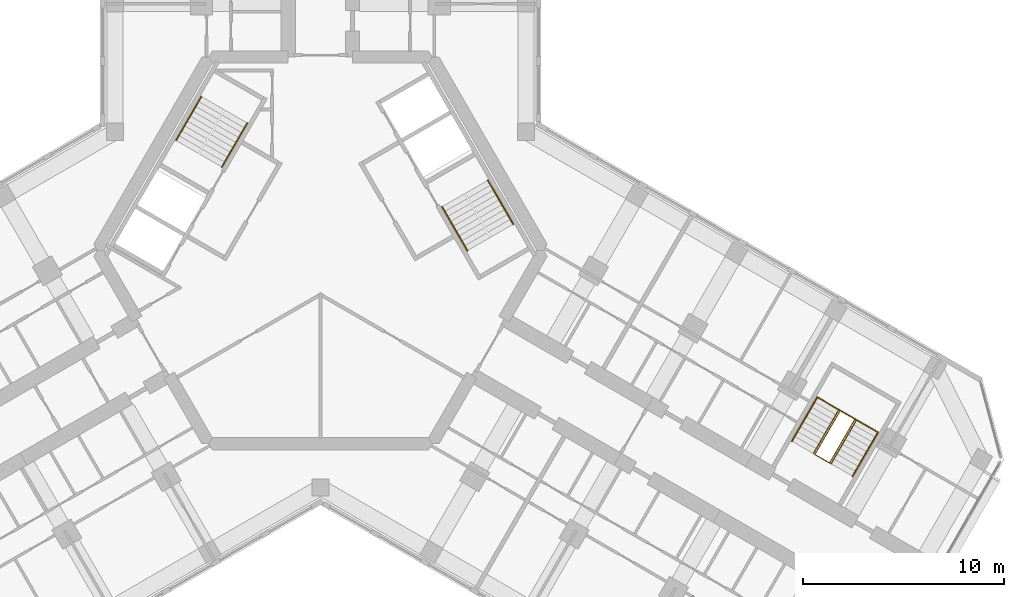
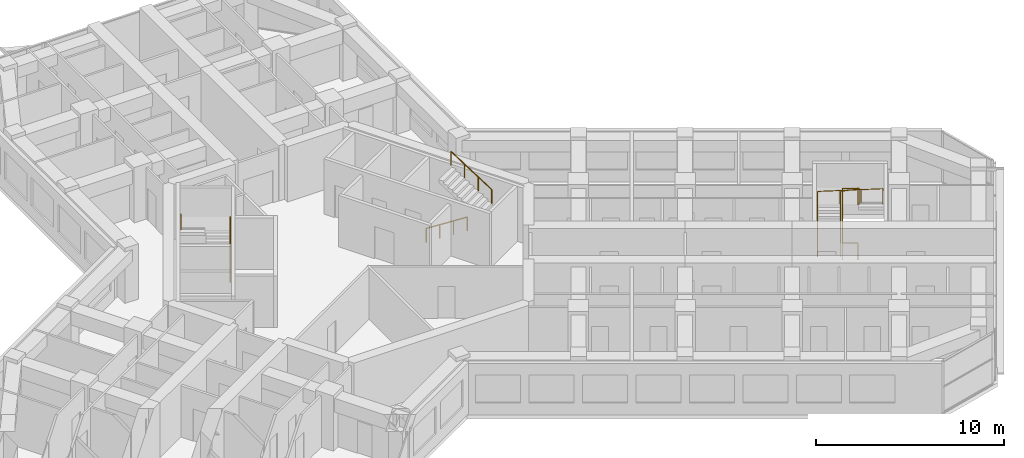
# One storey, part 16 of 16: 7 railings.
"""IFC4 building model written with IfcOpenShell, lengths in metres."""

from ifc_helpers import new_model, si_unit, direction, frame, origin, origin_2d, place, context, subcontext, project, spatial, circle, extrude, material, type_object, element, save


model = new_model("IFC4")

# Units and contexts
model_context = context("Model", 3, precision=1e-05, world=origin(), true_north=direction((0.0, 1.0)))
body_context = subcontext(model_context, "Body", "Model", "MODEL_VIEW")
ifc_project = project(units=[si_unit("LENGTHUNIT", "METRE"), si_unit("AREAUNIT", "SQUARE_METRE"), si_unit("VOLUMEUNIT", "CUBIC_METRE"), si_unit("PLANEANGLEUNIT", "RADIAN"), si_unit("MASSUNIT", "GRAM", prefix="KILO")], contexts=[model_context])

# Site, building, storey
site_placement = place(None, origin())
site = spatial("IfcSite", under=ifc_project, at=site_placement, CompositionType="ELEMENT")
building_placement = place(site_placement, origin())
building = spatial("IfcBuilding", under=site, at=building_placement, Name="Kosmar Iwan School Tower", CompositionType="ELEMENT")
storey_placement = place(building_placement, frame((0.0, 0.0, 246.0)))
storey = spatial("IfcBuildingStorey", under=building, at=storey_placement, Name="L62", CompositionType="ELEMENT", Elevation=246.0)

# Railings
ifc_material_1 = material(Name="Black steel", Category="steel")
railing_type_1 = type_object("IfcRailingType", Name="Stair handrail 900", PredefinedType="HANDRAIL", material=ifc_material_1)
railing_1_placement = place(storey_placement, frame((-4.89453125, 4.142333984375, 0.179931640625)))
element("IfcRailing", 1, at=railing_1_placement, inside=storey, type_object=railing_type_1, Name="Handrail ST2 flight 1", PredefinedType="HANDRAIL", context=body_context, shape_type="SweptSolid", body=[
    extrude(circle(Radius=0.02392578125, at=origin_2d()), frame((0.0, 0.0, 0.8759765625), z_axis=(0.420584145978, 0.728463801763, 0.540785970299), x_axis=(-0.866022637375, 0.500004791531, 0.0)), (0.0, 0.0, 1.0), 2.995849609375),
    extrude(circle(Radius=0.02099609375, at=origin_2d()), origin(), (0.0, 0.0, 1.0), 0.851806640625),
    extrude(circle(Radius=0.02099609375, at=origin_2d()), frame((0.419921875, 0.7275390625, 0.5400390625)), (0.0, 0.0, 1.0), 0.851806640625),
    extrude(circle(Radius=0.02099609375, at=origin_2d()), frame((0.840087890625, 1.454833984375, 1.080078125)), (0.0, 0.0, 1.0), 0.851806640625),
    extrude(circle(Radius=0.02099609375, at=origin_2d()), frame((1.260009765625, 2.182373046875, 1.6201171875)), (0.0, 0.0, 1.0), 0.851806640625),
])
railing_2_placement = place(storey_placement, frame((-5.912353515625, 7.6396484375, 1.97998046875)))
element("IfcRailing", 2, at=railing_2_placement, inside=storey, type_object=railing_type_1, Name="Handrail ST2 flight 2", PredefinedType="HANDRAIL", context=body_context, shape_type="SweptSolid", body=[
    extrude(circle(Radius=0.02392578125, at=origin_2d()), frame((0.0, 0.0, 0.8759765625), z_axis=(-0.420584145978, -0.728463801763, 0.540785970299), x_axis=(0.866022637375, -0.500004791531, 0.0)), (0.0, 0.0, 1.0), 2.995849609375),
    extrude(circle(Radius=0.02099609375, at=origin_2d()), origin(), (0.0, 0.0, 1.0), 0.851806640625),
    extrude(circle(Radius=0.02099609375, at=origin_2d()), frame((-0.419921875, -0.7275390625, 0.5400390625)), (0.0, 0.0, 1.0), 0.851806640625),
    extrude(circle(Radius=0.02099609375, at=origin_2d()), frame((-0.840087890625, -1.454833984375, 1.080078125)), (0.0, 0.0, 1.0), 0.851806640625),
    extrude(circle(Radius=0.02099609375, at=origin_2d()), frame((-1.260009765625, -2.182373046875, 1.6201171875)), (0.0, 0.0, 1.0), 0.851806640625),
])
railing_3_placement = place(storey_placement, frame((6.03466796875, 2.167724609375, 0.179931640625)))
element("IfcRailing", 3, at=railing_3_placement, inside=storey, type_object=railing_type_1, Name="Handrail ST1 flight 1", PredefinedType="HANDRAIL", context=body_context, shape_type="SweptSolid", body=[
    extrude(circle(Radius=0.02392578125, at=origin_2d()), frame((0.0, 0.0, 0.8759765625), z_axis=(0.420584145978, -0.728463801763, 0.540785970299), x_axis=(0.866022637375, 0.500004791531, 0.0)), (0.0, 0.0, 1.0), 2.995849609375),
    extrude(circle(Radius=0.02099609375, at=origin_2d()), origin(), (0.0, 0.0, 1.0), 0.851806640625),
    extrude(circle(Radius=0.02099609375, at=origin_2d()), frame((0.419921875, -0.7275390625, 0.5400390625)), (0.0, 0.0, 1.0), 0.851806640625),
    extrude(circle(Radius=0.02099609375, at=origin_2d()), frame((0.840087890625, -1.454833984375, 1.080078125)), (0.0, 0.0, 1.0), 0.851806640625),
    extrude(circle(Radius=0.02099609375, at=origin_2d()), frame((1.260009765625, -2.182373046875, 1.6201171875)), (0.0, 0.0, 1.0), 0.851806640625),
])
railing_4_placement = place(storey_placement, frame((9.572265625, 1.30029296875, 1.97998046875)))
element("IfcRailing", 4, at=railing_4_placement, inside=storey, type_object=railing_type_1, Name="Handrail ST1 flight 2", PredefinedType="HANDRAIL", context=body_context, shape_type="SweptSolid", body=[
    extrude(circle(Radius=0.02392578125, at=origin_2d()), frame((0.0, 0.0, 0.8759765625), z_axis=(-0.420584145978, 0.728463801763, 0.540785970299), x_axis=(-0.866022637375, -0.500004791531, 0.0)), (0.0, 0.0, 1.0), 2.995849609375),
    extrude(circle(Radius=0.02099609375, at=origin_2d()), origin(), (0.0, 0.0, 1.0), 0.851806640625),
    extrude(circle(Radius=0.02099609375, at=origin_2d()), frame((-0.419921875, 0.7275390625, 0.5400390625)), (0.0, 0.0, 1.0), 0.851806640625),
    extrude(circle(Radius=0.02099609375, at=origin_2d()), frame((-0.840087890625, 1.454833984375, 1.080078125)), (0.0, 0.0, 1.0), 0.851806640625),
    extrude(circle(Radius=0.02099609375, at=origin_2d()), frame((-1.260009765625, 2.182373046875, 1.6201171875)), (0.0, 0.0, 1.0), 0.851806640625),
])
railing_5_placement = place(storey_placement, frame((23.4091796875, -9.473876953125, 0.179931640625)))
element("IfcRailing", 5, at=railing_5_placement, inside=storey, type_object=railing_type_1, Name="Handrail stair WS3 L62 wall side", PredefinedType="HANDRAIL", context=body_context, shape_type="SweptSolid", body=[
    extrude(circle(Radius=0.02392578125, at=origin_2d()), frame((0.0, 0.0, 0.8759765625), z_axis=(0.420584145978, 0.728463801763, 0.540785970299), x_axis=(-0.866022637375, 0.500004791531, 0.0)), (0.0, 0.0, 1.0), 2.995849609375),
    extrude(circle(Radius=0.02392578125, at=origin_2d()), frame((1.260009765625, 2.182373046875, 2.49609375), z_axis=(0.864882007433, -0.499312601618, 0.051633701051), x_axis=(0.499979528911, 0.866037222451, 0.0)), (0.0, 0.0, 1.0), 3.48486328125),
    extrude(circle(Radius=0.02392578125, at=origin_2d()), frame((4.27392578125, 0.4423828125, 2.67578125), z_axis=(-0.420584145978, -0.728463801763, 0.540785970299), x_axis=(0.866022637375, -0.500004791531, 0.0)), (0.0, 0.0, 1.0), 2.995849609375),
    extrude(circle(Radius=0.02099609375, at=origin_2d()), origin(), (0.0, 0.0, 1.0), 0.851806640625),
    extrude(circle(Radius=0.02099609375, at=origin_2d()), frame((0.419921875, 0.7275390625, 0.5400390625)), (0.0, 0.0, 1.0), 0.851806640625),
    extrude(circle(Radius=0.02099609375, at=origin_2d()), frame((0.840087890625, 1.454833984375, 1.080078125)), (0.0, 0.0, 1.0), 0.851806640625),
    extrude(circle(Radius=0.02099609375, at=origin_2d()), frame((1.260009765625, 2.182373046875, 1.6201171875)), (0.0, 0.0, 1.0), 0.851806640625),
    extrude(circle(Radius=0.02099609375, at=origin_2d()), frame((2.2646484375, 1.602294921875, 1.68017578125)), (0.0, 0.0, 1.0), 0.851806640625),
    extrude(circle(Radius=0.02099609375, at=origin_2d()), frame((3.269287109375, 1.0224609375, 1.739990234375)), (0.0, 0.0, 1.0), 0.851806640625),
    extrude(circle(Radius=0.02099609375, at=origin_2d()), frame((4.27392578125, 0.4423828125, 1.800048828125)), (0.0, 0.0, 1.0), 0.851806640625),
    extrude(circle(Radius=0.02099609375, at=origin_2d()), frame((3.85400390625, -0.28515625, 2.340087890625)), (0.0, 0.0, 1.0), 0.851806640625),
    extrude(circle(Radius=0.02099609375, at=origin_2d()), frame((3.433837890625, -1.012451171875, 2.880126953125)), (0.0, 0.0, 1.0), 0.851806640625),
    extrude(circle(Radius=0.02099609375, at=origin_2d()), frame((3.013916015625, -1.739990234375, 3.420166015625)), (0.0, 0.0, 1.0), 0.851806640625),
])
railing_6_placement = place(storey_placement, frame((24.474609375, -10.0888671875, 0.179931640625)))
element("IfcRailing", 6, at=railing_6_placement, inside=storey, type_object=railing_type_1, Name="Handrail stair WS3 L62 well side", PredefinedType="HANDRAIL", context=body_context, shape_type="SweptSolid", body=[
    extrude(circle(Radius=0.02392578125, at=origin_2d()), frame((0.0, 0.0, 0.8759765625), z_axis=(0.420584145978, 0.728463801763, 0.540785970299), x_axis=(-0.866022637375, 0.500004791531, 0.0)), (0.0, 0.0, 1.0), 2.995849609375),
    extrude(circle(Radius=0.02392578125, at=origin_2d()), frame((1.260009765625, 2.182373046875, 2.49609375), z_axis=(0.852841519511, -0.492422867401, 0.173726976197), x_axis=(0.500026340207, 0.866010195725, 0.0)), (0.0, 0.0, 1.0), 1.03564453125),
    extrude(circle(Radius=0.02392578125, at=origin_2d()), frame((2.143310546875, 1.67236328125, 2.67578125), z_axis=(-0.420584145978, -0.728463801763, 0.540785970299), x_axis=(0.866022637375, -0.500004791531, 0.0)), (0.0, 0.0, 1.0), 2.995849609375),
    extrude(circle(Radius=0.02099609375, at=origin_2d()), origin(), (0.0, 0.0, 1.0), 0.851806640625),
    extrude(circle(Radius=0.02099609375, at=origin_2d()), frame((0.419921875, 0.7275390625, 0.5400390625)), (0.0, 0.0, 1.0), 0.851806640625),
    extrude(circle(Radius=0.02099609375, at=origin_2d()), frame((0.840087890625, 1.454833984375, 1.080078125)), (0.0, 0.0, 1.0), 0.851806640625),
    extrude(circle(Radius=0.02099609375, at=origin_2d()), frame((1.260009765625, 2.182373046875, 1.6201171875)), (0.0, 0.0, 1.0), 0.851806640625),
    extrude(circle(Radius=0.02099609375, at=origin_2d()), frame((2.143310546875, 1.67236328125, 1.800048828125)), (0.0, 0.0, 1.0), 0.851806640625),
    extrude(circle(Radius=0.02099609375, at=origin_2d()), frame((1.723388671875, 0.94482421875, 2.340087890625)), (0.0, 0.0, 1.0), 0.851806640625),
    extrude(circle(Radius=0.02099609375, at=origin_2d()), frame((1.30322265625, 0.217529296875, 2.880126953125)), (0.0, 0.0, 1.0), 0.851806640625),
    extrude(circle(Radius=0.02099609375, at=origin_2d()), frame((0.88330078125, -0.510009765625, 3.420166015625)), (0.0, 0.0, 1.0), 0.851806640625),
])
ifc_material_2 = material(Name="Black steel", Category="steel")
railing_type_2 = type_object("IfcRailingType", Name="Stair well guard 1100", PredefinedType="GUARDRAIL", material=ifc_material_2)
railing_7_placement = place(storey_placement, frame((25.280029296875, -10.553955078125, 0.0)))
element("IfcRailing", 7, at=railing_7_placement, inside=storey, type_object=railing_type_2, Name="Stair WS3 L62 well guard", PredefinedType="GUARDRAIL", context=body_context, shape_type="SweptSolid", body=[
    extrude(circle(Radius=0.02392578125, at=origin_2d()), frame((0.0, 0.0, 1.076171875), z_axis=(-0.865962960534, 0.500108139288, 0.0), x_axis=(-0.500108139288, -0.865962960534, 0.0)), (0.0, 0.0, 1.0), 0.840087890625),
    extrude(circle(Radius=0.02392578125, at=origin_2d()), frame((-0.7275390625, 0.420166015625, 1.076171875), z_axis=(0.40686665399, 0.704704712268, 0.58124933925), x_axis=(-0.866022637375, 0.500004791531, 0.0)), (0.0, 0.0, 1.0), 3.096923828125),
    extrude(circle(Radius=0.02392578125, at=origin_2d()), frame((0.532470703125, 2.6025390625, 2.8759765625), z_axis=(0.865890253765, -0.500234013672, 0.0), x_axis=(0.500234013672, 0.865890253765, 0.0)), (0.0, 0.0, 1.0), 0.83984375),
    extrude(circle(Radius=0.02392578125, at=origin_2d()), frame((1.259765625, 2.182373046875, 2.8759765625), z_axis=(-0.406800866334, -0.70472731476, 0.58126798207), x_axis=(0.866064587494, -0.499932125682, 0.0)), (0.0, 0.0, 1.0), 3.0966796875),
    extrude(circle(Radius=0.02099609375, at=origin_2d()), origin(), (0.0, 0.0, 1.0), 1.052001953125),
    extrude(circle(Radius=0.02099609375, at=origin_2d()), frame((-0.7275390625, 0.420166015625, 0.0)), (0.0, 0.0, 1.0), 1.052001953125),
    extrude(circle(Radius=0.02099609375, at=origin_2d()), frame((-0.3076171875, 1.147705078125, 0.60009765625)), (0.0, 0.0, 1.0), 1.052001953125),
    extrude(circle(Radius=0.02099609375, at=origin_2d()), frame((0.112548828125, 1.875, 1.199951171875)), (0.0, 0.0, 1.0), 1.052001953125),
    extrude(circle(Radius=0.02099609375, at=origin_2d()), frame((0.532470703125, 2.6025390625, 1.800048828125)), (0.0, 0.0, 1.0), 1.052001953125),
    extrude(circle(Radius=0.02099609375, at=origin_2d()), frame((1.259765625, 2.182373046875, 1.800048828125)), (0.0, 0.0, 1.0), 1.052001953125),
    extrude(circle(Radius=0.02099609375, at=origin_2d()), frame((0.83984375, 1.454833984375, 2.400146484375)), (0.0, 0.0, 1.0), 1.052001953125),
    extrude(circle(Radius=0.02099609375, at=origin_2d()), frame((0.419921875, 0.7275390625, 3.0)), (0.0, 0.0, 1.0), 1.052001953125),
    extrude(circle(Radius=0.02099609375, at=origin_2d()), frame((0.0, 0.0, 3.60009765625)), (0.0, 0.0, 1.0), 1.052001953125),
])

save(model, "model.ifc")
